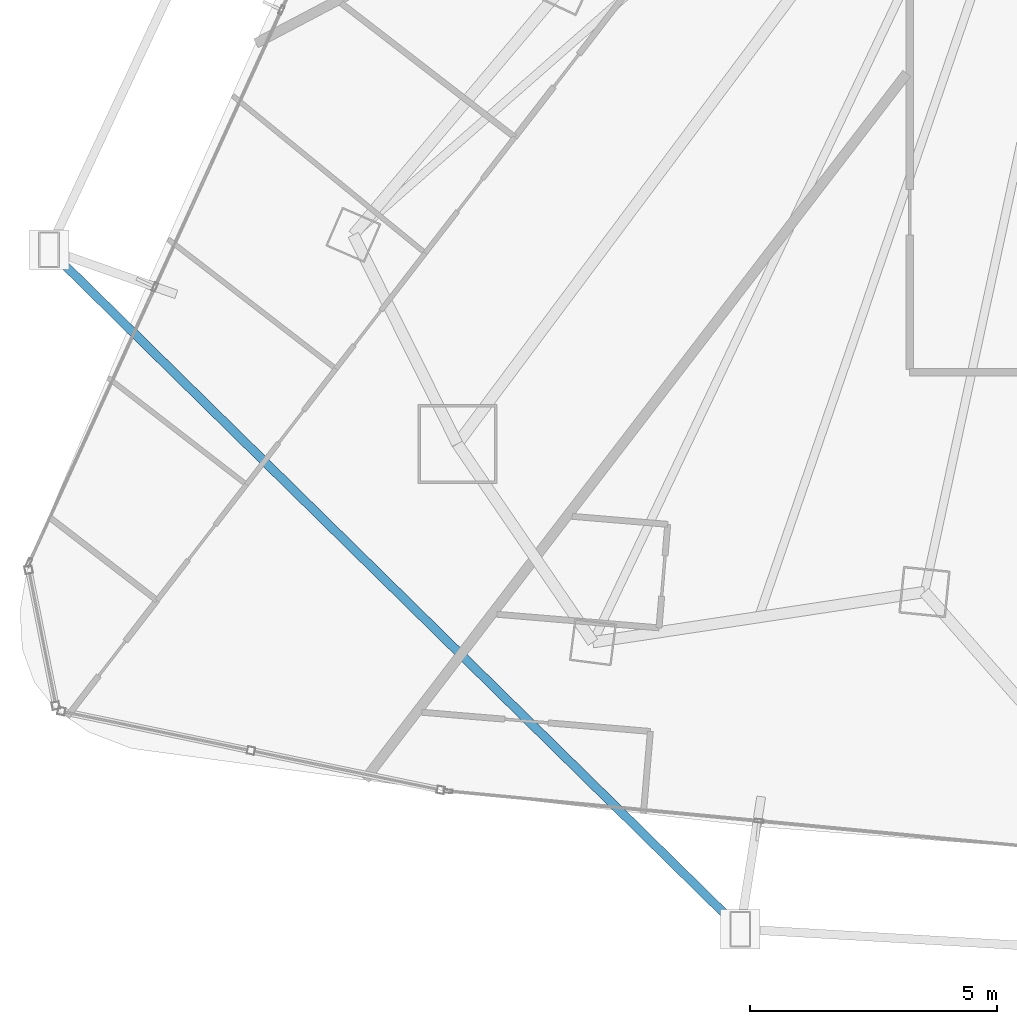
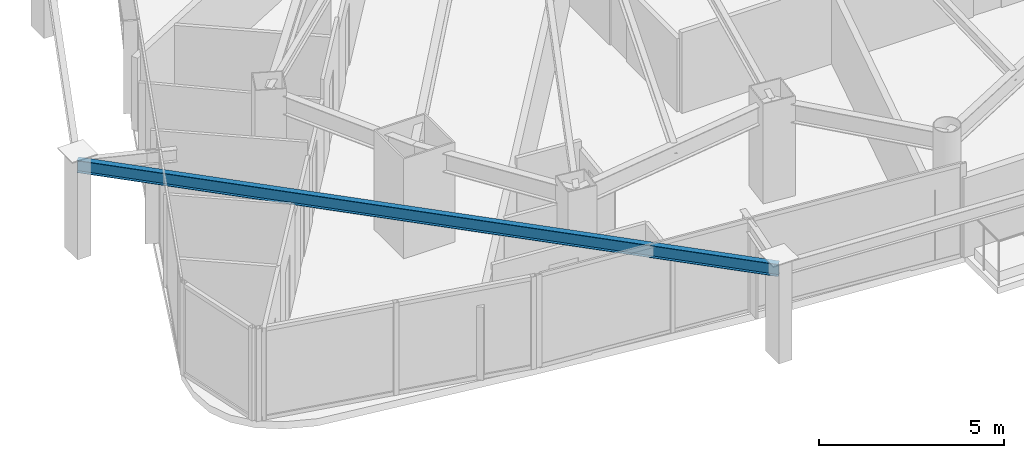
# One storey, part 3 of 34: 1 beam.
"""IFC4 building model written with IfcOpenShell, lengths in metres."""

from ifc_helpers import new_model, si_unit, direction, frame, origin, origin_2d, place, context, subcontext, project, spatial, i_section, extrude, material, material_profile, profile_set, type_object, element, save


model = new_model("IFC4")

# Units and contexts
model_context = context("Model", 3, precision=1e-05, world=origin(), true_north=direction((0.0, 1.0)))
body_context = subcontext(model_context, "Body", "Model", "MODEL_VIEW")
ifc_project = project(units=[si_unit("LENGTHUNIT", "METRE"), si_unit("AREAUNIT", "SQUARE_METRE"), si_unit("VOLUMEUNIT", "CUBIC_METRE"), si_unit("PLANEANGLEUNIT", "RADIAN"), si_unit("MASSUNIT", "GRAM", prefix="KILO")], contexts=[model_context])

# Site, building, storey
site_placement = place(None, origin())
site = spatial("IfcSite", under=ifc_project, at=site_placement, CompositionType="ELEMENT")
building_placement = place(site_placement, origin())
building = spatial("IfcBuilding", under=site, at=building_placement, Name="Orvanel Arch Residences", CompositionType="ELEMENT")
storey_placement = place(building_placement, frame((0.0, 0.0, 80.75)))
storey = spatial("IfcBuildingStorey", under=building, at=storey_placement, Name="L22", CompositionType="ELEMENT", Elevation=80.75)

# Beam
ifc_material = material(Name="Structural steel AS/NZS 3679.1 Grade 300 (300 MPa)", Category="steel")
ifc_material_profile = material_profile(ifc_material, i_section(OverallWidth=0.177978515625, OverallDepth=0.406005859375, WebThickness=0.0078125, FlangeThickness=0.0126953125, at=origin_2d()), Name="410UB59.7")
ifc_profile_set = profile_set([ifc_material_profile], Name="Structural steel AS/NZS 3679.1 Grade 300 (300 MPa)")
beam_type = type_object("IfcBeamType", Name="OB-410UB-EXT", PredefinedType="SPANDREL", material=ifc_profile_set)
beam_placement = place(storey_placement, frame((5.93896484375, 14.279052734375, 2.85693359375), z_axis=(0.713199702725, -0.700960900502, 0.0), x_axis=(0.700960900502, 0.713199702725, 0.0)))
element("IfcBeam", 1, at=beam_placement, inside=storey, type_object=beam_type, Name="L22 Outer Perimeter Floor Ring Beam 04", PredefinedType="SPANDREL", context=body_context, shape_type="SweptSolid", body=[
    extrude(i_section(OverallWidth=0.177978515625, OverallDepth=0.406005859375, WebThickness=0.0078125, FlangeThickness=0.0126953125, at=origin_2d()), origin(), (0.0, 0.0, 1.0), 19.60888671875),
])

save(model, "model.ifc")
